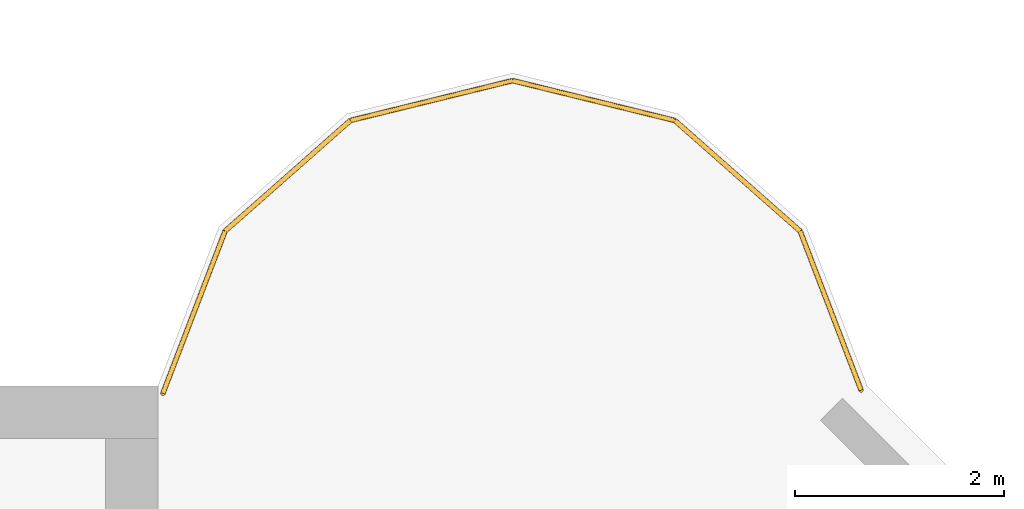
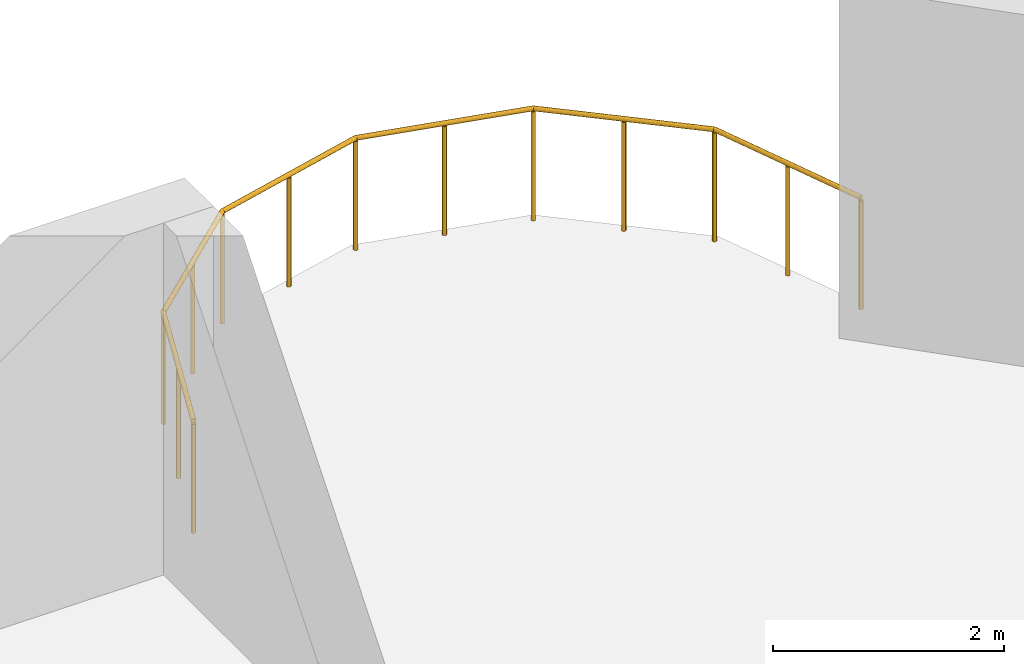
# One storey, part 10 of 11: 1 railing.
"""IFC4 building model written with IfcOpenShell, lengths in metres."""

from ifc_helpers import new_model, si_unit, direction, frame, origin, origin_2d, place, context, subcontext, project, spatial, circle, extrude, source, transform, mapped, material, type_object, element, save


model = new_model("IFC4")

# Units and contexts
model_context = context("Model", 3, precision=1e-05, world=origin(), true_north=direction((0.0, 1.0)))
body_context = subcontext(model_context, "Body", "Model", "MODEL_VIEW")
ifc_project = project(units=[si_unit("LENGTHUNIT", "METRE"), si_unit("AREAUNIT", "SQUARE_METRE"), si_unit("VOLUMEUNIT", "CUBIC_METRE"), si_unit("PLANEANGLEUNIT", "RADIAN"), si_unit("MASSUNIT", "GRAM", prefix="KILO")], contexts=[model_context])

# Site, building, storey
site_placement = place(None, origin())
site = spatial("IfcSite", under=ifc_project, at=site_placement, CompositionType="ELEMENT")
building_placement = place(site_placement, origin())
building = spatial("IfcBuilding", under=site, at=building_placement, Name="Vanashikhar Sky Hotel", CompositionType="ELEMENT")
storey_placement = place(building_placement, frame((0.0, 0.0, 305.699951171875)))
storey = spatial("IfcBuildingStorey", under=building, at=storey_placement, Name="L73", CompositionType="ELEMENT", Elevation=305.699951171875)

# Railing
ifc_material = material(Name="Stainless steel 316", Category="steel")
railing_type = type_object("IfcRailingType", Name="Refuge terrace guard 1200", PredefinedType="GUARDRAIL", material=ifc_material)
shared_shape = source(origin(), body_context, "Body", "SweptSolid", [
    extrude(circle(Radius=0.02392578125, at=origin_2d()), frame((0.0, 0.0, 1.17578125), z_axis=(-0.357766549327, 0.933811060216, 0.0), x_axis=(-0.933811060216, -0.357766549327, 0.0)), (0.0, 0.0, 1.0), 1.633056640625),
    extrude(circle(Radius=0.02392578125, at=origin_2d()), frame((-0.584228515625, 1.52490234375, 1.17578125), z_axis=(-0.749699987355, 0.661777854692, 0.0), x_axis=(-0.661777854692, -0.749699987355, 0.0)), (0.0, 0.0, 1.0), 1.602294921875),
    extrude(circle(Radius=0.02392578125, at=origin_2d()), frame((-1.785400390625, 2.585205078125, 1.17578125), z_axis=(-0.971138901218, 0.238514642196, 0.0), x_axis=(-0.238514642196, -0.971138901218, 0.0)), (0.0, 0.0, 1.0), 1.600830078125),
    extrude(circle(Radius=0.02392578125, at=origin_2d()), frame((-3.340087890625, 2.967041015625, 1.17578125), z_axis=(-0.971138901218, -0.238514642196, 0.0), x_axis=(0.238514642196, -0.971138901218, 0.0)), (0.0, 0.0, 1.0), 1.600830078125),
    extrude(circle(Radius=0.02392578125, at=origin_2d()), frame((-4.894775390625, 2.585205078125, 1.17578125), z_axis=(-0.749699987355, -0.661777854692, 0.0), x_axis=(0.661777854692, -0.749699987355, 0.0)), (0.0, 0.0, 1.0), 1.602294921875),
    extrude(circle(Radius=0.02392578125, at=origin_2d()), frame((-6.095947265625, 1.52490234375, 1.17578125), z_axis=(-0.357682612009, -0.933843214392, 0.0), x_axis=(0.933843214392, -0.357682612009, 0.0)), (0.0, 0.0, 1.0), 1.666015625),
    extrude(circle(Radius=0.02099609375, at=origin_2d()), origin(), (0.0, 0.0, 1.0), 1.15185546875),
    extrude(circle(Radius=0.02099609375, at=origin_2d()), frame((-0.2919921875, 0.762451171875, 0.0)), (0.0, 0.0, 1.0), 1.15185546875),
    extrude(circle(Radius=0.02099609375, at=origin_2d()), frame((-0.584228515625, 1.52490234375, 0.0)), (0.0, 0.0, 1.0), 1.15185546875),
    extrude(circle(Radius=0.02099609375, at=origin_2d()), frame((-1.184814453125, 2.05517578125, 0.0)), (0.0, 0.0, 1.0), 1.15185546875),
    extrude(circle(Radius=0.02099609375, at=origin_2d()), frame((-1.785400390625, 2.585205078125, 0.0)), (0.0, 0.0, 1.0), 1.15185546875),
    extrude(circle(Radius=0.02099609375, at=origin_2d()), frame((-2.562744140625, 2.776123046875, 0.0)), (0.0, 0.0, 1.0), 1.15185546875),
    extrude(circle(Radius=0.02099609375, at=origin_2d()), frame((-3.340087890625, 2.967041015625, 0.0)), (0.0, 0.0, 1.0), 1.15185546875),
    extrude(circle(Radius=0.02099609375, at=origin_2d()), frame((-4.117431640625, 2.776123046875, 0.0)), (0.0, 0.0, 1.0), 1.15185546875),
    extrude(circle(Radius=0.02099609375, at=origin_2d()), frame((-4.894775390625, 2.585205078125, 0.0)), (0.0, 0.0, 1.0), 1.15185546875),
    extrude(circle(Radius=0.02099609375, at=origin_2d()), frame((-5.495361328125, 2.05517578125, 0.0)), (0.0, 0.0, 1.0), 1.15185546875),
    extrude(circle(Radius=0.02099609375, at=origin_2d()), frame((-6.095947265625, 1.52490234375, 0.0)), (0.0, 0.0, 1.0), 1.15185546875),
    extrude(circle(Radius=0.02099609375, at=origin_2d()), frame((-6.39404296875, 0.7470703125, 0.0)), (0.0, 0.0, 1.0), 1.15185546875),
    extrude(circle(Radius=0.02099609375, at=origin_2d()), frame((-6.69189453125, -0.031005859375, 0.0)), (0.0, 0.0, 1.0), 1.15185546875),
])
railing_placement = place(storey_placement, frame((82.340087890625, 41.9609375, 0.0)))
element("IfcRailing", 1, at=railing_placement, inside=storey, type_object=railing_type, Name="Refuge terrace guard", PredefinedType="GUARDRAIL", context=body_context, shape_type="MappedRepresentation", body=[
    mapped(shared_shape, transform((0.0, 0.0, 0.0), scale=1.0)),
])

save(model, "model.ifc")
